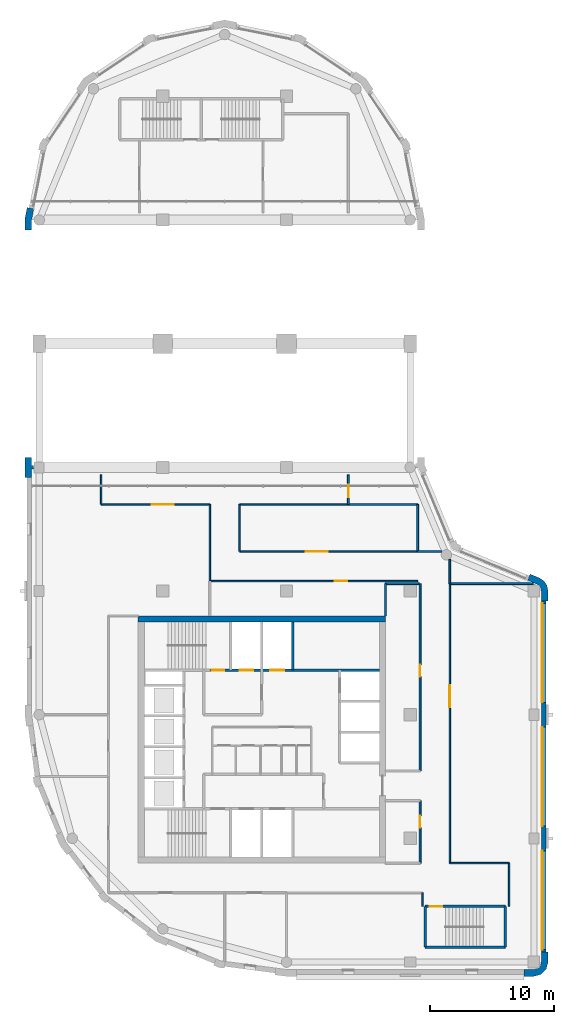
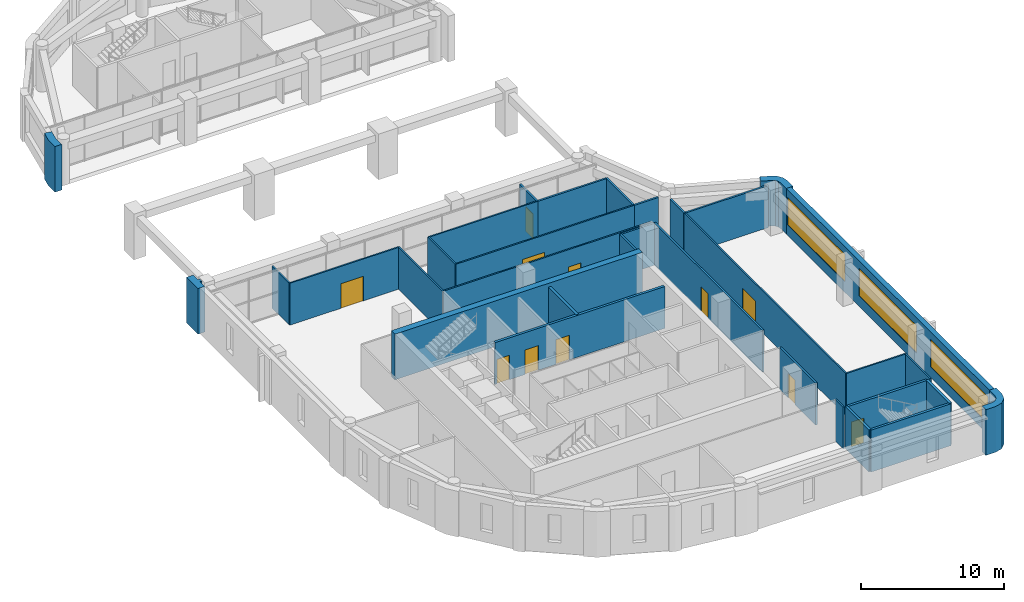
# One storey, part 7 of 11: 33 walls, 11 doors, 3 windows, 14 openings.
"""IFC4 building model written with IfcOpenShell, lengths in metres."""

from ifc_helpers import new_model, si_unit, direction, frame, frame_2d, origin, place, context, subcontext, project, spatial, polyline, rectangle, outline, extrude, material, layer, layer_set, type_object, element, fill, save


model = new_model("IFC4")

# Units and contexts
model_context = context("Model", 3, precision=1e-05, world=origin(), true_north=direction((0.0, 1.0)))
body_context = subcontext(model_context, "Body", "Model", "MODEL_VIEW")
ifc_project = project(units=[si_unit("LENGTHUNIT", "METRE"), si_unit("AREAUNIT", "SQUARE_METRE"), si_unit("VOLUMEUNIT", "CUBIC_METRE"), si_unit("PLANEANGLEUNIT", "RADIAN"), si_unit("MASSUNIT", "GRAM", prefix="KILO")], contexts=[model_context])

# Site, building, storey
site_placement = place(None, origin())
site = spatial("IfcSite", under=ifc_project, at=site_placement, CompositionType="ELEMENT")
building_placement = place(site_placement, origin())
building = spatial("IfcBuilding", under=site, at=building_placement, Name="Qaws Garden Tower", CompositionType="ELEMENT")
storey_placement = place(building_placement, frame((0.0, 0.0, 325.5)))
storey = spatial("IfcBuildingStorey", under=building, at=storey_placement, Name="L79", CompositionType="ELEMENT", Elevation=325.5)

# Walls
ifc_material_1 = material(Name="Clay facing brick masonry", Category="masonry")
ifc_layer_1 = layer(ifc_material_1, 0.550048828125)
ifc_layer_set_1 = layer_set([ifc_layer_1], Name="Clay facing brick masonry")
wall_type_1 = type_object("IfcWallType", Name="Brick corner pier 550 x 2400", PredefinedType="SOLIDWALL", material=ifc_layer_set_1)
placement = place(storey_placement, origin())
element("IfcWall", 1, at=placement, inside=storey, type_object=wall_type_1, Name="E-L79-pier-02", PredefinedType="SOLIDWALL", context=body_context, shape_type="SweptSolid", body=[
    extrude(outline(polyline([(39.199951171875, -1.0), (39.199951171875, -1.14990234375), (40.0, -1.14990234375), (40.574951171875, -0.995849609375), (40.995849609375, -0.574951171875), (41.14990234375, 0.0), (41.14990234375, 0.800048828125), (41.0, 0.800048828125), (40.60009765625, 0.800048828125), (40.60009765625, 0.0), (40.51953125, -0.300048828125), (40.300048828125, -0.51953125), (40.0, -0.60009765625), (39.199951171875, -0.60009765625), (39.199951171875, -1.0)])), origin(), (0.0, 0.0, 1.0), 3.89990234375),
])
element("IfcWall", 2, at=placement, inside=storey, type_object=wall_type_1, Name="E-L79-pier-05", PredefinedType="SOLIDWALL", context=body_context, shape_type="SweptSolid", body=[
    extrude(outline(polyline([(41.0, 29.199951171875), (41.14990234375, 29.199951171875), (41.14990234375, 30.0), (41.0625, 30.440185546875), (40.813232421875, 30.813232421875), (40.440185546875, 31.0625), (39.700927734375, 31.36865234375), (39.6435546875, 31.22998046875), (39.490478515625, 30.860595703125), (40.2294921875, 30.554443359375), (40.42431640625, 30.42431640625), (40.554443359375, 30.2294921875), (40.60009765625, 30.0), (40.60009765625, 29.199951171875), (41.0, 29.199951171875)])), origin(), (0.0, 0.0, 1.0), 3.89990234375),
])

# Wall, openings, windows
ifc_material_2 = material(Name="Clay facing brick masonry", Category="masonry")
ifc_layer_2 = layer(ifc_material_2, 0.39990234375)
ifc_layer_set_2 = layer_set([ifc_layer_2], Name="Clay facing brick masonry")
wall_type_2 = type_object("IfcWallType", Name="Brick infill wall 400", PredefinedType="SOLIDWALL", material=ifc_layer_set_2)
wall_3_placement = place(storey_placement, frame((40.800048828125, 0.800048828125, 0.0), z_axis=(0.0, 0.0, 1.0), x_axis=(0.0, 1.0, 0.0)))
wall_3 = element("IfcWall", 3, at=wall_3_placement, inside=storey, type_object=wall_type_2, Name="E-L79-infill-02", PredefinedType="SOLIDWALL", context=body_context, shape_type="SweptSolid", body=[
    extrude(rectangle(XDim=28.39990234375, YDim=0.39990234375, at=frame_2d((14.199951171875, 0.0))), origin(), (0.0, 0.0, 1.0), 3.89990234375),
])
opening_1_placement = place(wall_3_placement, frame((0.199951171875, 0.0, 0.89990234375)))
opening_1 = element("IfcOpeningElement", 4, at=opening_1_placement, cuts=wall_3, Name="Opening W01", PredefinedType="OPENING", context=body_context, shape_type="SweptSolid", body=[
    extrude(rectangle(XDim=8.0, YDim=2.35009765625, at=frame_2d((4.0, 1.175048828125))), frame((0.0, 0.2099609375, 0.0), z_axis=(0.0, -1.0, 0.0), x_axis=(1.0, 0.0, 0.0)), (0.0, 0.0, 1.0), 0.419921875),
])
opening_2_placement = place(wall_3_placement, frame((10.199951171875, 0.0, 0.89990234375)))
opening_2 = element("IfcOpeningElement", 5, at=opening_2_placement, cuts=wall_3, Name="Opening W01", PredefinedType="OPENING", context=body_context, shape_type="SweptSolid", body=[
    extrude(rectangle(XDim=8.0, YDim=2.35009765625, at=frame_2d((4.0, 1.175048828125))), frame((0.0, 0.2099609375, 0.0), z_axis=(0.0, -1.0, 0.0), x_axis=(1.0, 0.0, 0.0)), (0.0, 0.0, 1.0), 0.419921875),
])
opening_3_placement = place(wall_3_placement, frame((20.199951171875, 0.0, 0.89990234375)))
opening_3 = element("IfcOpeningElement", 6, at=opening_3_placement, cuts=wall_3, Name="Opening W01", PredefinedType="OPENING", context=body_context, shape_type="SweptSolid", body=[
    extrude(rectangle(XDim=8.0, YDim=2.35009765625, at=frame_2d((4.0, 1.175048828125))), frame((0.0, 0.2099609375, 0.0), z_axis=(0.0, -1.0, 0.0), x_axis=(1.0, 0.0, 0.0)), (0.0, 0.0, 1.0), 0.419921875),
])
ifc_material_3 = material(Name="Aluminium framed window, clear glazing", Category="aluminium")
window_type = type_object("IfcWindowType", Name="Ribbon window 8000 x 2350", PartitioningType="DOUBLE_PANEL_VERTICAL", PredefinedType="WINDOW", material=ifc_material_3)
window_1_placement = place(opening_1_placement, origin())
window_1 = element("IfcWindow", 7, at=window_1_placement, inside=storey, type_object=window_type, Name="E-L79-window-02-0", OverallHeight=2.35009765625, OverallWidth=8.0, PartitioningType="SINGLE_PANEL", PredefinedType="WINDOW", context=body_context, shape_type="SweptSolid", body=[
    extrude(rectangle(XDim=8.0, YDim=2.35009765625, at=frame_2d((4.0, 1.175048828125))), frame((0.0, 0.159912109375, 0.0), z_axis=(0.0, -1.0, 0.0), x_axis=(1.0, 0.0, 0.0)), (0.0, 0.0, 1.0), 0.06005859375),
])
fill(opening_1, window_1)
window_2_placement = place(opening_2_placement, origin())
window_2 = element("IfcWindow", 8, at=window_2_placement, inside=storey, type_object=window_type, Name="E-L79-window-03-0", OverallHeight=2.35009765625, OverallWidth=8.0, PartitioningType="SINGLE_PANEL", PredefinedType="WINDOW", context=body_context, shape_type="SweptSolid", body=[
    extrude(rectangle(XDim=8.0, YDim=2.35009765625, at=frame_2d((4.0, 1.175048828125))), frame((0.0, 0.159912109375, 0.0), z_axis=(0.0, -1.0, 0.0), x_axis=(1.0, 0.0, 0.0)), (0.0, 0.0, 1.0), 0.06005859375),
])
fill(opening_2, window_2)
window_3_placement = place(opening_3_placement, origin())
window_3 = element("IfcWindow", 9, at=window_3_placement, inside=storey, type_object=window_type, Name="E-L79-window-04-0", OverallHeight=2.35009765625, OverallWidth=8.0, PartitioningType="SINGLE_PANEL", PredefinedType="WINDOW", context=body_context, shape_type="SweptSolid", body=[
    extrude(rectangle(XDim=8.0, YDim=2.35009765625, at=frame_2d((4.0, 1.175048828125))), frame((0.0, 0.159912109375, 0.0), z_axis=(0.0, -1.0, 0.0), x_axis=(1.0, 0.0, 0.0)), (0.0, 0.0, 1.0), 0.06005859375),
])
fill(opening_3, window_3)

# Walls
ifc_material_4 = material(Name="Clay facing brick masonry", Category="masonry")
ifc_layer_3 = layer(ifc_material_4, 0.550048828125)
ifc_layer_set_3 = layer_set([ifc_layer_3], Name="Clay facing brick masonry")
wall_type_3 = type_object("IfcWallType", Name="Brick pier 550 x 1600", PredefinedType="SOLIDWALL", material=ifc_layer_set_3)
element("IfcWall", 10, at=placement, inside=storey, type_object=wall_type_3, Name="E-L79-pier-17", PredefinedType="SOLIDWALL", context=body_context, shape_type="SweptSolid", body=[
    extrude(outline(polyline([(-0.82470703125, 60.979736328125), (-0.971923828125, 61.009033203125), (-1.14990234375, 60.11328125), (-1.14990234375, 59.199951171875), (-1.0, 59.199951171875), (-0.60009765625, 59.199951171875), (-0.60009765625, 60.05908203125), (-0.432373046875, 60.901611328125), (-0.82470703125, 60.979736328125)])), origin(), (0.0, 0.0, 1.0), 3.89990234375),
])
element("IfcWall", 11, at=placement, inside=storey, type_object=wall_type_3, Name="E-L79-pier-19", PredefinedType="SOLIDWALL", context=body_context, shape_type="SweptSolid", body=[
    extrude(outline(polyline([(-0.60009765625, 39.199951171875), (-0.60009765625, 39.85009765625), (-0.449951171875, 39.85009765625), (-0.449951171875, 40.14990234375), (-0.60009765625, 40.14990234375), (-0.60009765625, 40.800048828125), (-1.0, 40.800048828125), (-1.14990234375, 40.800048828125), (-1.14990234375, 40.0), (-1.14990234375, 39.199951171875), (-1.0, 39.199951171875), (-0.60009765625, 39.199951171875)])), origin(), (0.0, 0.0, 1.0), 3.89990234375),
])
ifc_material_5 = material(Name="Concrete C60", Category="concrete")
ifc_layer_4 = layer(ifc_material_5, 0.199951171875)
ifc_layer_set_4 = layer_set([ifc_layer_4], Name="Concrete C60")
wall_type_4 = type_object("IfcWallType", Name="Core shaft wall 200 C60", PredefinedType="SHEAR", material=ifc_layer_set_4)
wall_6_placement = place(storey_placement, frame((31.199951171875, 1.199951171875, 0.0), z_axis=(0.0, 0.0, 1.0), x_axis=(1.0, 0.0, 0.0)))
element("IfcWall", 12, at=wall_6_placement, inside=storey, type_object=wall_type_4, Name="Shaft wall", PredefinedType="SHEAR", context=body_context, shape_type="SweptSolid", body=[
    extrude(rectangle(XDim=6.5, YDim=0.199951171875, at=frame_2d((3.25, 0.0))), origin(), (0.0, 0.0, 1.0), 3.580078125),
])

# Wall, opening, door
wall_7_placement = place(storey_placement, frame((31.199951171875, 4.5, 0.0), z_axis=(0.0, 0.0, 1.0), x_axis=(1.0, 0.0, 0.0)))
wall_7 = element("IfcWall", 13, at=wall_7_placement, inside=storey, type_object=wall_type_4, Name="Shaft wall", PredefinedType="SHEAR", context=body_context, shape_type="SweptSolid", body=[
    extrude(rectangle(XDim=6.5, YDim=0.199951171875, at=frame_2d((3.25, 0.0))), origin(), (0.0, 0.0, 1.0), 3.580078125),
])
opening_4_placement = place(wall_7_placement, frame((0.375, 0.0, 0.0)))
opening_4 = element("IfcOpeningElement", 14, at=opening_4_placement, cuts=wall_7, Name="Opening SD12", PredefinedType="OPENING", context=body_context, shape_type="SweptSolid", body=[
    extrude(rectangle(XDim=1.0, YDim=2.10009765625, at=frame_2d((0.5, 1.050048828125))), frame((0.0, 0.10986328125, 0.0), z_axis=(0.0, -1.0, 0.0), x_axis=(1.0, 0.0, 0.0)), (0.0, 0.0, 1.0), 0.219970703125),
])
ifc_material_6 = material(Name="Steel S235", Category="steel")
door_type_1 = type_object("IfcDoorType", Name="Stair door 1000x2100", OperationType="SINGLE_SWING_RIGHT", PredefinedType="DOOR", material=ifc_material_6)
door_1_placement = place(opening_4_placement, frame((1.0, 0.0, 0.0), z_axis=(0.0, 0.0, 1.0), x_axis=(-1.0, 0.0, 0.0)))
door_1 = element("IfcDoor", 15, at=door_1_placement, inside=storey, type_object=door_type_1, Name="Stair 5 door", OperationType="SINGLE_SWING_RIGHT", OverallHeight=2.10009765625, OverallWidth=1.0, PredefinedType="DOOR", context=body_context, shape_type="SweptSolid", body=[
    extrude(rectangle(XDim=1.0, YDim=2.10009765625, at=frame_2d((0.5, 1.050048828125))), frame((0.0, 0.02490234375, 0.0), z_axis=(0.0, -1.0, 0.0), x_axis=(1.0, 0.0, 0.0)), (0.0, 0.0, 1.0), 0.050048828125),
])
fill(opening_4, door_1)

# Wall, openings, doors
wall_8_placement = place(storey_placement, frame((13.800048828125, 23.60009765625, 0.0), z_axis=(0.0, 0.0, 1.0), x_axis=(1.0, 0.0, 0.0)))
wall_8 = element("IfcWall", 16, at=wall_8_placement, inside=storey, type_object=wall_type_4, Name="Shaft wall", PredefinedType="SHEAR", context=body_context, shape_type="SweptSolid", body=[
    extrude(rectangle(XDim=13.699951171875, YDim=0.199951171875, at=frame_2d((6.85009765625, 0.0))), origin(), (0.0, 0.0, 1.0), 3.580078125),
])
opening_5_placement = place(wall_8_placement, frame((2.39990234375, 0.0, 0.0)))
opening_5 = element("IfcOpeningElement", 17, at=opening_5_placement, cuts=wall_8, Name="Opening LD08", PredefinedType="OPENING", context=body_context, shape_type="SweptSolid", body=[
    extrude(rectangle(XDim=1.10009765625, YDim=2.10009765625, at=frame_2d((0.550048828125, 1.050048828125))), frame((0.0, 0.10986328125, 0.0), z_axis=(0.0, -1.0, 0.0), x_axis=(1.0, 0.0, 0.0)), (0.0, 0.0, 1.0), 0.219970703125),
])
opening_6_placement = place(wall_8_placement, frame((4.89990234375, 0.0, 0.0)))
opening_6 = element("IfcOpeningElement", 18, at=opening_6_placement, cuts=wall_8, Name="Opening LD09", PredefinedType="OPENING", context=body_context, shape_type="SweptSolid", body=[
    extrude(rectangle(XDim=1.10009765625, YDim=2.10009765625, at=frame_2d((0.550048828125, 1.050048828125))), frame((0.0, 0.10986328125, 0.0), z_axis=(0.0, -1.0, 0.0), x_axis=(1.0, 0.0, 0.0)), (0.0, 0.0, 1.0), 0.219970703125),
])
opening_7_placement = place(wall_8_placement, frame((0.14990234375, 0.0, 0.0)))
opening_7 = element("IfcOpeningElement", 19, at=opening_7_placement, cuts=wall_8, Name="Opening SD11", PredefinedType="OPENING", context=body_context, shape_type="SweptSolid", body=[
    extrude(rectangle(XDim=1.0, YDim=2.10009765625, at=frame_2d((0.5, 1.050048828125))), frame((0.0, 0.10986328125, 0.0), z_axis=(0.0, -1.0, 0.0), x_axis=(1.0, 0.0, 0.0)), (0.0, 0.0, 1.0), 0.219970703125),
])
ifc_material_7 = material(Name="Steel S235", Category="steel")
door_type_2 = type_object("IfcDoorType", Name="Landing door 1100x2100", OperationType="DOUBLE_DOOR_SLIDING", PredefinedType="DOOR", material=ifc_material_7)
door_2_placement = place(opening_5_placement, origin())
door_2 = element("IfcDoor", 20, at=door_2_placement, inside=storey, type_object=door_type_2, Name="Lift FF3 landing door", OperationType="DOUBLE_DOOR_SLIDING", OverallHeight=2.10009765625, OverallWidth=1.10009765625, PredefinedType="DOOR", context=body_context, shape_type="SweptSolid", body=[
    extrude(rectangle(XDim=1.10009765625, YDim=2.10009765625, at=frame_2d((0.550048828125, 1.050048828125))), frame((0.0, 0.02490234375, 0.0), z_axis=(0.0, -1.0, 0.0), x_axis=(1.0, 0.0, 0.0)), (0.0, 0.0, 1.0), 0.050048828125),
])
fill(opening_5, door_2)
door_3_placement = place(opening_6_placement, origin())
door_3 = element("IfcDoor", 21, at=door_3_placement, inside=storey, type_object=door_type_2, Name="Lift SV2 landing door", OperationType="DOUBLE_DOOR_SLIDING", OverallHeight=2.10009765625, OverallWidth=1.10009765625, PredefinedType="DOOR", context=body_context, shape_type="SweptSolid", body=[
    extrude(rectangle(XDim=1.10009765625, YDim=2.10009765625, at=frame_2d((0.550048828125, 1.050048828125))), frame((0.0, 0.02490234375, 0.0), z_axis=(0.0, -1.0, 0.0), x_axis=(1.0, 0.0, 0.0)), (0.0, 0.0, 1.0), 0.050048828125),
])
fill(opening_6, door_3)
door_4_placement = place(opening_7_placement, origin())
door_4 = element("IfcDoor", 22, at=door_4_placement, inside=storey, type_object=door_type_1, Name="Stair 4 door", OperationType="SINGLE_SWING_RIGHT", OverallHeight=2.10009765625, OverallWidth=1.0, PredefinedType="DOOR", context=body_context, shape_type="SweptSolid", body=[
    extrude(rectangle(XDim=1.0, YDim=2.10009765625, at=frame_2d((0.5, 1.050048828125))), frame((0.0, 0.02490234375, 0.0), z_axis=(0.0, -1.0, 0.0), x_axis=(1.0, 0.0, 0.0)), (0.0, 0.0, 1.0), 0.050048828125),
])
fill(opening_7, door_4)

# Walls
wall_9_placement = place(storey_placement, frame((20.5, 23.60009765625, 0.0), z_axis=(0.0, 0.0, 1.0), x_axis=(0.0, 1.0, 0.0)))
element("IfcWall", 23, at=wall_9_placement, inside=storey, type_object=wall_type_4, Name="Shaft wall", PredefinedType="SHEAR", context=body_context, shape_type="SweptSolid", body=[
    extrude(rectangle(XDim=3.89990234375, YDim=0.199951171875, at=frame_2d((1.949951171875, 0.0))), origin(), (0.0, 0.0, 1.0), 3.580078125),
])
for number, where, z_axis, x_axis, name in (
    (24, (31.199951171875, 1.199951171875, 0.0), (0.0, 0.0, 1.0), (0.0, 1.0, 0.0), "Shaft wall"),
    (25, (37.699951171875, 1.199951171875, 0.0), (0.0, 0.0, 1.0), (0.0, 1.0, 0.0), "Shaft wall"),
):
    element("IfcWall", number, at=place(storey_placement, frame(where, z_axis=z_axis, x_axis=x_axis)), inside=storey, type_object=wall_type_4, Name=name, PredefinedType="SHEAR", context=body_context, shape_type="SweptSolid", body=[
        extrude(rectangle(XDim=3.300048828125, YDim=0.199951171875, at=frame_2d((1.64990234375, 0.0))), origin(), (0.0, 0.0, 1.0), 3.580078125),
    ])
ifc_material_8 = material(Name="Concrete C60", Category="concrete")
ifc_layer_5 = layer(ifc_material_8, 0.5)
ifc_layer_set_5 = layer_set([ifc_layer_5], Name="Concrete C60")
wall_type_5 = type_object("IfcWallType", Name="Core wall 500 C60", PredefinedType="SHEAR", material=ifc_layer_set_5)
wall_10_placement = place(storey_placement, frame((28.0, 27.75, 0.0), z_axis=(0.0, 0.0, 1.0), x_axis=(-1.0, 0.0, 0.0)))
element("IfcWall", 26, at=wall_10_placement, inside=storey, type_object=wall_type_5, Name="Core wall L79 north", PredefinedType="SHEAR", context=body_context, shape_type="SweptSolid", body=[
    extrude(rectangle(XDim=20.0, YDim=0.5, at=frame_2d((10.0, 0.0))), origin(), (0.0, 0.0, 1.0), 3.89990234375),
])
ifc_material_9 = material(Name="Glass and aluminium framing", Category="aluminium")
ifc_layer_6 = layer(ifc_material_9, 0.1201171875)
ifc_layer_set_6 = layer_set([ifc_layer_6], Name="Glass and aluminium framing")
wall_type_6 = type_object("IfcWallType", Name="GLAZED PARTITION 120 EI 30", PredefinedType="PARTITIONING", material=ifc_layer_set_6)
wall_11_placement = place(storey_placement, frame((5.0, 37.0, 0.0), z_axis=(0.0, 0.0, 1.0), x_axis=(0.0, 1.0, 0.0)))
element("IfcWall", 27, at=wall_11_placement, inside=storey, type_object=wall_type_6, Name="O-L79-wall-023", PredefinedType="PARTITIONING", context=body_context, shape_type="SweptSolid", body=[
    extrude(rectangle(XDim=2.39990234375, YDim=0.1201171875, at=frame_2d((1.199951171875, 0.0))), origin(), (0.0, 0.0, 1.0), 3.580078125),
])
wall_12_placement = place(storey_placement, frame((13.800048828125, 30.800048828125, 0.0), z_axis=(0.0, 0.0, 1.0), x_axis=(0.0, 1.0, 0.0)))
element("IfcWall", 28, at=wall_12_placement, inside=storey, type_object=wall_type_6, Name="O-L79-wall-027", PredefinedType="PARTITIONING", context=body_context, shape_type="SweptSolid", body=[
    extrude(rectangle(XDim=6.199951171875, YDim=0.1201171875, at=frame_2d((3.10009765625, 0.0))), origin(), (0.0, 0.0, 1.0), 3.580078125),
])
wall_13_placement = place(storey_placement, frame((16.199951171875, 33.199951171875, 0.0), z_axis=(0.0, 0.0, 1.0), x_axis=(0.0, 1.0, 0.0)))
element("IfcWall", 29, at=wall_13_placement, inside=storey, type_object=wall_type_6, Name="O-L79-wall-028", PredefinedType="PARTITIONING", context=body_context, shape_type="SweptSolid", body=[
    extrude(rectangle(XDim=3.800048828125, YDim=0.1201171875, at=frame_2d((1.89990234375, 0.0))), origin(), (0.0, 0.0, 1.0), 3.580078125),
])
wall_14_placement = place(storey_placement, frame((31.0, 4.5, 0.0), z_axis=(0.0, 0.0, 1.0), x_axis=(0.0, 1.0, 0.0)))
element("IfcWall", 30, at=wall_14_placement, inside=storey, type_object=wall_type_6, Name="O-L79-wall-030", PredefinedType="PARTITIONING", context=body_context, shape_type="SweptSolid", body=[
    extrude(rectangle(XDim=1.10009765625, YDim=0.1201171875, at=frame_2d((0.550048828125, 0.0))), origin(), (0.0, 0.0, 1.0), 3.580078125),
])

# Wall, opening, door
wall_15_placement = place(storey_placement, frame((33.199951171875, 8.0, 0.0), z_axis=(0.0, 0.0, 1.0), x_axis=(0.0, 1.0, 0.0)))
wall_15 = element("IfcWall", 31, at=wall_15_placement, inside=storey, type_object=wall_type_6, Name="O-L79-wall-031", PredefinedType="PARTITIONING", context=body_context, shape_type="SweptSolid", body=[
    extrude(rectangle(XDim=22.60009765625, YDim=0.1201171875, at=frame_2d((11.300048828125, 0.0))), origin(), (0.0, 0.0, 1.0), 3.580078125),
])
opening_8_placement = place(wall_15_placement, frame((12.60009765625, 0.0, 0.0)))
opening_8 = element("IfcOpeningElement", 32, at=opening_8_placement, cuts=wall_15, Name="Opening C809", PredefinedType="OPENING", context=body_context, shape_type="SweptSolid", body=[
    extrude(rectangle(XDim=1.800048828125, YDim=2.10009765625, at=frame_2d((0.89990234375, 1.050048828125))), frame((0.0, 0.070068359375, 0.0), z_axis=(0.0, -1.0, 0.0), x_axis=(1.0, 0.0, 0.0)), (0.0, 0.0, 1.0), 0.14013671875),
])
ifc_material_10 = material(Name="Timber door leaf", Category="wood")
door_type_3 = type_object("IfcDoorType", Name="DOUBLE DOOR 1800 X 2100", OperationType="DOUBLE_DOOR_SINGLE_SWING", PredefinedType="DOOR", material=ifc_material_10)
door_5_placement = place(opening_8_placement, frame((1.800048828125, 0.0, 0.0), z_axis=(0.0, 0.0, 1.0), x_axis=(-1.0, 0.0, 0.0)))
door_5 = element("IfcDoor", 33, at=door_5_placement, inside=storey, type_object=door_type_3, Name="O-L79-door-009", OperationType="DOUBLE_DOOR_SINGLE_SWING", OverallHeight=2.10009765625, OverallWidth=1.800048828125, PredefinedType="DOOR", context=body_context, shape_type="SweptSolid", body=[
    extrude(rectangle(XDim=1.800048828125, YDim=2.10009765625, at=frame_2d((0.89990234375, 1.050048828125))), frame((0.0, 0.02490234375, 0.0), z_axis=(0.0, -1.0, 0.0), x_axis=(1.0, 0.0, 0.0)), (0.0, 0.0, 1.0), 0.050048828125),
])
fill(opening_8, door_5)

# Walls
wall_16_placement = place(storey_placement, frame((38.0, 4.5, 0.0), z_axis=(0.0, 0.0, 1.0), x_axis=(0.0, 1.0, 0.0)))
element("IfcWall", 34, at=wall_16_placement, inside=storey, type_object=wall_type_6, Name="O-L79-wall-032", PredefinedType="PARTITIONING", context=body_context, shape_type="SweptSolid", body=[
    extrude(rectangle(XDim=3.5, YDim=0.1201171875, at=frame_2d((1.75, 0.0))), origin(), (0.0, 0.0, 1.0), 3.580078125),
])
wall_17_placement = place(storey_placement, frame((33.199951171875, 8.0, 0.0), z_axis=(0.0, 0.0, 1.0), x_axis=(1.0, 0.0, 0.0)))
element("IfcWall", 35, at=wall_17_placement, inside=storey, type_object=wall_type_6, Name="O-L79-wall-034", PredefinedType="PARTITIONING", context=body_context, shape_type="SweptSolid", body=[
    extrude(rectangle(XDim=4.800048828125, YDim=0.1201171875, at=frame_2d((2.39990234375, 0.0))), origin(), (0.0, 0.0, 1.0), 3.580078125),
])

# Wall, opening, door
wall_18_placement = place(storey_placement, frame((13.802001953125, 30.800048828125, 0.0), z_axis=(0.0, 0.0, 1.0), x_axis=(1.0, 0.0, 0.0)))
wall_18 = element("IfcWall", 36, at=wall_18_placement, inside=storey, type_object=wall_type_6, Name="O-L79-wall-036", PredefinedType="PARTITIONING", context=body_context, shape_type="SweptSolid", body=[
    extrude(rectangle(XDim=16.798095703125, YDim=0.1201171875, at=frame_2d((8.39892578125, 0.0))), origin(), (0.0, 0.0, 1.0), 3.580078125),
])
opening_9_placement = place(wall_18_placement, frame((10.10009765625, 0.0, 0.0)))
opening_9 = element("IfcOpeningElement", 37, at=opening_9_placement, cuts=wall_18, Name="Opening C805", PredefinedType="OPENING", context=body_context, shape_type="SweptSolid", body=[
    extrude(rectangle(XDim=1.0, YDim=2.10009765625, at=frame_2d((0.5, 1.050048828125))), frame((0.0, 0.070068359375, 0.0), z_axis=(0.0, -1.0, 0.0), x_axis=(1.0, 0.0, 0.0)), (0.0, 0.0, 1.0), 0.14013671875),
])
ifc_material_11 = material(Name="Timber door leaf", Category="wood")
door_type_4 = type_object("IfcDoorType", Name="TENANCY ENTRANCE DOOR 1000 X 2100", OperationType="SINGLE_SWING_LEFT", PredefinedType="DOOR", material=ifc_material_11)
door_6_placement = place(opening_9_placement, frame((1.0, 0.0, 0.0), z_axis=(0.0, 0.0, 1.0), x_axis=(-1.0, 0.0, 0.0)))
door_6 = element("IfcDoor", 38, at=door_6_placement, inside=storey, type_object=door_type_4, Name="O-L79-door-005", OperationType="SINGLE_SWING_LEFT", OverallHeight=2.10009765625, OverallWidth=1.0, PredefinedType="DOOR", context=body_context, shape_type="SweptSolid", body=[
    extrude(rectangle(XDim=1.0, YDim=2.10009765625, at=frame_2d((0.5, 1.050048828125))), frame((0.0, 0.02490234375, 0.0), z_axis=(0.0, -1.0, 0.0), x_axis=(1.0, 0.0, 0.0)), (0.0, 0.0, 1.0), 0.050048828125),
])
fill(opening_9, door_6)

wall_19_placement = place(storey_placement, frame((16.199951171875, 33.199951171875, 0.0), z_axis=(0.0, 0.0, 1.0), x_axis=(1.0, 0.0, 0.0)))
wall_19 = element("IfcWall", 39, at=wall_19_placement, inside=storey, type_object=wall_type_6, Name="O-L79-wall-037", PredefinedType="PARTITIONING", context=body_context, shape_type="SweptSolid", body=[
    extrude(rectangle(XDim=14.400146484375, YDim=0.1201171875, at=frame_2d((7.2001953125, 0.0))), origin(), (0.0, 0.0, 1.0), 3.580078125),
])
opening_10_placement = place(wall_19_placement, frame((5.35009765625, 0.0, 0.0)))
opening_10 = element("IfcOpeningElement", 40, at=opening_10_placement, cuts=wall_19, Name="Opening C812", PredefinedType="OPENING", context=body_context, shape_type="SweptSolid", body=[
    extrude(rectangle(XDim=1.800048828125, YDim=2.10009765625, at=frame_2d((0.89990234375, 1.050048828125))), frame((0.0, 0.070068359375, 0.0), z_axis=(0.0, -1.0, 0.0), x_axis=(1.0, 0.0, 0.0)), (0.0, 0.0, 1.0), 0.14013671875),
])
door_7_placement = place(opening_10_placement, origin())
door_7 = element("IfcDoor", 41, at=door_7_placement, inside=storey, type_object=door_type_3, Name="O-L79-door-012", OperationType="DOUBLE_DOOR_SINGLE_SWING", OverallHeight=2.10009765625, OverallWidth=1.800048828125, PredefinedType="DOOR", context=body_context, shape_type="SweptSolid", body=[
    extrude(rectangle(XDim=1.800048828125, YDim=2.10009765625, at=frame_2d((0.89990234375, 1.050048828125))), frame((0.0, 0.02490234375, 0.0), z_axis=(0.0, -1.0, 0.0), x_axis=(1.0, 0.0, 0.0)), (0.0, 0.0, 1.0), 0.050048828125),
])
fill(opening_10, door_7)

wall_20_placement = place(storey_placement, frame((5.0, 37.0, 0.0), z_axis=(0.0, 0.0, 1.0), x_axis=(1.0, 0.0, 0.0)))
wall_20 = element("IfcWall", 42, at=wall_20_placement, inside=storey, type_object=wall_type_6, Name="O-L79-wall-038", PredefinedType="PARTITIONING", context=body_context, shape_type="SweptSolid", body=[
    extrude(rectangle(XDim=8.800048828125, YDim=0.1201171875, at=frame_2d((4.39990234375, 0.0))), origin(), (0.0, 0.0, 1.0), 3.580078125),
])
opening_11_placement = place(wall_20_placement, frame((4.10009765625, 0.0, 0.0)))
opening_11 = element("IfcOpeningElement", 43, at=opening_11_placement, cuts=wall_20, Name="Opening C811", PredefinedType="OPENING", context=body_context, shape_type="SweptSolid", body=[
    extrude(rectangle(XDim=1.800048828125, YDim=2.10009765625, at=frame_2d((0.89990234375, 1.050048828125))), frame((0.0, 0.070068359375, 0.0), z_axis=(0.0, -1.0, 0.0), x_axis=(1.0, 0.0, 0.0)), (0.0, 0.0, 1.0), 0.14013671875),
])
door_8_placement = place(opening_11_placement, frame((1.800048828125, 0.0, 0.0), z_axis=(0.0, 0.0, 1.0), x_axis=(-1.0, 0.0, 0.0)))
door_8 = element("IfcDoor", 44, at=door_8_placement, inside=storey, type_object=door_type_3, Name="O-L79-door-011", OperationType="DOUBLE_DOOR_SINGLE_SWING", OverallHeight=2.10009765625, OverallWidth=1.800048828125, PredefinedType="DOOR", context=body_context, shape_type="SweptSolid", body=[
    extrude(rectangle(XDim=1.800048828125, YDim=2.10009765625, at=frame_2d((0.89990234375, 1.050048828125))), frame((0.0, 0.02490234375, 0.0), z_axis=(0.0, -1.0, 0.0), x_axis=(1.0, 0.0, 0.0)), (0.0, 0.0, 1.0), 0.050048828125),
])
fill(opening_11, door_8)

# Wall
wall_21_placement = place(storey_placement, frame((16.199951171875, 37.0, 0.0), z_axis=(0.0, 0.0, 1.0), x_axis=(1.0, 0.0, 0.0)))
element("IfcWall", 45, at=wall_21_placement, inside=storey, type_object=wall_type_6, Name="O-L79-wall-039", PredefinedType="PARTITIONING", context=body_context, shape_type="SweptSolid", body=[
    extrude(rectangle(XDim=8.800048828125, YDim=0.1201171875, at=frame_2d((4.39990234375, 0.0))), origin(), (0.0, 0.0, 1.0), 3.580078125),
])

# Wall, opening, door
ifc_material_12 = material(Name="Gypsum board partition")
ifc_layer_7 = layer(ifc_material_12, 0.14990234375)
ifc_layer_set_7 = layer_set([ifc_layer_7], Name="Gypsum board partition")
wall_type_7 = type_object("IfcWallType", Name="PARTITION 150 EI 60", PredefinedType="PARTITIONING", material=ifc_layer_set_7)
wall_22_placement = place(storey_placement, frame((25.0, 37.0, 0.0), z_axis=(0.0, 0.0, 1.0), x_axis=(0.0, 1.0, 0.0)))
wall_22 = element("IfcWall", 46, at=wall_22_placement, inside=storey, type_object=wall_type_7, Name="O-L79-wall-005", PredefinedType="PARTITIONING", context=body_context, shape_type="SweptSolid", body=[
    extrude(rectangle(XDim=2.39990234375, YDim=0.14990234375, at=frame_2d((1.199951171875, 0.0))), origin(), (0.0, 0.0, 1.0), 3.580078125),
])
opening_12_placement = place(wall_22_placement, frame((0.60009765625, 0.0, 0.0)))
opening_12 = element("IfcOpeningElement", 47, at=opening_12_placement, cuts=wall_22, Name="Opening C804", PredefinedType="OPENING", context=body_context, shape_type="SweptSolid", body=[
    extrude(rectangle(XDim=1.0, YDim=2.10009765625, at=frame_2d((0.5, 1.050048828125))), frame((0.0, 0.0849609375, 0.0), z_axis=(0.0, -1.0, 0.0), x_axis=(1.0, 0.0, 0.0)), (0.0, 0.0, 1.0), 0.169921875),
])
door_9_placement = place(opening_12_placement, frame((1.0, 0.0, 0.0), z_axis=(0.0, 0.0, 1.0), x_axis=(-1.0, 0.0, 0.0)))
door_9 = element("IfcDoor", 48, at=door_9_placement, inside=storey, type_object=door_type_4, Name="O-L79-door-004", OperationType="SINGLE_SWING_RIGHT", OverallHeight=2.10009765625, OverallWidth=1.0, PredefinedType="DOOR", context=body_context, shape_type="SweptSolid", body=[
    extrude(rectangle(XDim=1.0, YDim=2.10009765625, at=frame_2d((0.5, 1.050048828125))), frame((0.0, 0.02490234375, 0.0), z_axis=(0.0, -1.0, 0.0), x_axis=(1.0, 0.0, 0.0)), (0.0, 0.0, 1.0), 0.050048828125),
])
fill(opening_12, door_9)

# Walls
wall_23_placement = place(storey_placement, frame((28.0, 28.0, 0.0), z_axis=(0.0, 0.0, 1.0), x_axis=(0.0, 1.0, 0.0)))
element("IfcWall", 49, at=wall_23_placement, inside=storey, type_object=wall_type_7, Name="O-L79-wall-007", PredefinedType="PARTITIONING", context=body_context, shape_type="SweptSolid", body=[
    extrude(rectangle(XDim=2.597900390625, YDim=0.14990234375, at=frame_2d((1.298828125, 0.0))), origin(), (0.0, 0.0, 1.0), 3.580078125),
])
wall_24_placement = place(storey_placement, frame((30.60009765625, 33.199951171875, 0.0), z_axis=(0.0, 0.0, 1.0), x_axis=(0.0, 1.0, 0.0)))
element("IfcWall", 50, at=wall_24_placement, inside=storey, type_object=wall_type_7, Name="O-L79-wall-008", PredefinedType="PARTITIONING", context=body_context, shape_type="SweptSolid", body=[
    extrude(rectangle(XDim=3.800048828125, YDim=0.14990234375, at=frame_2d((1.89990234375, 0.0))), origin(), (0.0, 0.0, 1.0), 3.580078125),
])

# Wall, opening, door
wall_25_placement = place(storey_placement, frame((30.800048828125, 8.0, 0.0), z_axis=(0.0, 0.0, 1.0), x_axis=(0.0, 1.0, 0.0)))
wall_25 = element("IfcWall", 51, at=wall_25_placement, inside=storey, type_object=wall_type_7, Name="O-L79-wall-009", PredefinedType="PARTITIONING", context=body_context, shape_type="SweptSolid", body=[
    extrude(rectangle(XDim=5.050048828125, YDim=0.14990234375, at=frame_2d((2.52490234375, 0.0))), origin(), (0.0, 0.0, 1.0), 3.580078125),
])
opening_13_placement = place(wall_25_placement, frame((2.85009765625, 0.0, 0.0)))
opening_13 = element("IfcOpeningElement", 52, at=opening_13_placement, cuts=wall_25, Name="Opening C810", PredefinedType="OPENING", context=body_context, shape_type="SweptSolid", body=[
    extrude(rectangle(XDim=1.0, YDim=2.10009765625, at=frame_2d((0.5, 1.050048828125))), frame((0.0, 0.0849609375, 0.0), z_axis=(0.0, -1.0, 0.0), x_axis=(1.0, 0.0, 0.0)), (0.0, 0.0, 1.0), 0.169921875),
])
door_10_placement = place(opening_13_placement, origin())
door_10 = element("IfcDoor", 53, at=door_10_placement, inside=storey, type_object=door_type_4, Name="O-L79-door-010", OperationType="SINGLE_SWING_RIGHT", OverallHeight=2.10009765625, OverallWidth=1.0, PredefinedType="DOOR", context=body_context, shape_type="SweptSolid", body=[
    extrude(rectangle(XDim=1.0, YDim=2.10009765625, at=frame_2d((0.5, 1.050048828125))), frame((0.0, 0.02490234375, 0.0), z_axis=(0.0, -1.0, 0.0), x_axis=(1.0, 0.0, 0.0)), (0.0, 0.0, 1.0), 0.050048828125),
])
fill(opening_13, door_10)

wall_26_placement = place(storey_placement, frame((30.800048828125, 15.449951171875, 0.0), z_axis=(0.0, 0.0, 1.0), x_axis=(0.0, 1.0, 0.0)))
wall_26 = element("IfcWall", 54, at=wall_26_placement, inside=storey, type_object=wall_type_7, Name="O-L79-wall-010", PredefinedType="PARTITIONING", context=body_context, shape_type="SweptSolid", body=[
    extrude(rectangle(XDim=15.150146484375, YDim=0.14990234375, at=frame_2d((7.5751953125, 0.0))), origin(), (0.0, 0.0, 1.0), 3.580078125),
])
opening_14_placement = place(wall_26_placement, frame((7.60009765625, 0.0, 0.0)))
opening_14 = element("IfcOpeningElement", 55, at=opening_14_placement, cuts=wall_26, Name="Opening C808", PredefinedType="OPENING", context=body_context, shape_type="SweptSolid", body=[
    extrude(rectangle(XDim=1.0, YDim=2.10009765625, at=frame_2d((0.5, 1.050048828125))), frame((0.0, 0.0849609375, 0.0), z_axis=(0.0, -1.0, 0.0), x_axis=(1.0, 0.0, 0.0)), (0.0, 0.0, 1.0), 0.169921875),
])
door_11_placement = place(opening_14_placement, origin())
door_11 = element("IfcDoor", 56, at=door_11_placement, inside=storey, type_object=door_type_4, Name="O-L79-door-008", OperationType="SINGLE_SWING_RIGHT", OverallHeight=2.10009765625, OverallWidth=1.0, PredefinedType="DOOR", context=body_context, shape_type="SweptSolid", body=[
    extrude(rectangle(XDim=1.0, YDim=2.10009765625, at=frame_2d((0.5, 1.050048828125))), frame((0.0, 0.02490234375, 0.0), z_axis=(0.0, -1.0, 0.0), x_axis=(1.0, 0.0, 0.0)), (0.0, 0.0, 1.0), 0.050048828125),
])
fill(opening_14, door_11)

# Walls
wall_27_placement = place(storey_placement, frame((33.199951171875, 30.60009765625, 0.0), z_axis=(0.0, 0.0, 1.0), x_axis=(0.0, 1.0, 0.0)))
element("IfcWall", 57, at=wall_27_placement, inside=storey, type_object=wall_type_7, Name="O-L79-wall-011", PredefinedType="PARTITIONING", context=body_context, shape_type="SweptSolid", body=[
    extrude(rectangle(XDim=1.951904296875, YDim=0.14990234375, at=frame_2d((0.97607421875, 0.0))), origin(), (0.0, 0.0, 1.0), 3.580078125),
])
wall_28_placement = place(storey_placement, frame((28.001953125, 30.60009765625, 0.0), z_axis=(0.0, 0.0, 1.0), x_axis=(1.0, 0.0, 0.0)))
element("IfcWall", 58, at=wall_28_placement, inside=storey, type_object=wall_type_7, Name="O-L79-wall-018", PredefinedType="PARTITIONING", context=body_context, shape_type="SweptSolid", body=[
    extrude(rectangle(XDim=2.72314453125, YDim=0.14990234375, at=frame_2d((1.361572265625, 0.0))), origin(), (0.0, 0.0, 1.0), 3.580078125),
])
wall_29_placement = place(storey_placement, frame((33.199951171875, 30.60009765625, 0.0), z_axis=(0.0, 0.0, 1.0), x_axis=(1.0, 0.0, 0.0)))
element("IfcWall", 59, at=wall_29_placement, inside=storey, type_object=wall_type_7, Name="O-L79-wall-019", PredefinedType="PARTITIONING", context=body_context, shape_type="SweptSolid", body=[
    extrude(rectangle(XDim=6.73828125, YDim=0.14990234375, at=frame_2d((3.369140625, 0.0))), origin(), (0.0, 0.0, 1.0), 3.580078125),
])
wall_30_placement = place(storey_placement, frame((30.60009765625, 33.199951171875, 0.0), z_axis=(0.0, 0.0, 1.0), x_axis=(1.0, 0.0, 0.0)))
element("IfcWall", 60, at=wall_30_placement, inside=storey, type_object=wall_type_7, Name="O-L79-wall-020", PredefinedType="PARTITIONING", context=body_context, shape_type="SweptSolid", body=[
    extrude(rectangle(XDim=1.951904296875, YDim=0.14990234375, at=frame_2d((0.97607421875, 0.0))), origin(), (0.0, 0.0, 1.0), 3.580078125),
])
wall_31_placement = place(storey_placement, frame((25.0, 37.0, 0.0), z_axis=(0.0, 0.0, 1.0), x_axis=(1.0, 0.0, 0.0)))
element("IfcWall", 61, at=wall_31_placement, inside=storey, type_object=wall_type_7, Name="O-L79-wall-021", PredefinedType="PARTITIONING", context=body_context, shape_type="SweptSolid", body=[
    extrude(rectangle(XDim=5.60009765625, YDim=0.14990234375, at=frame_2d((2.800048828125, 0.0))), origin(), (0.0, 0.0, 1.0), 3.580078125),
])

save(model, "model.ifc")
